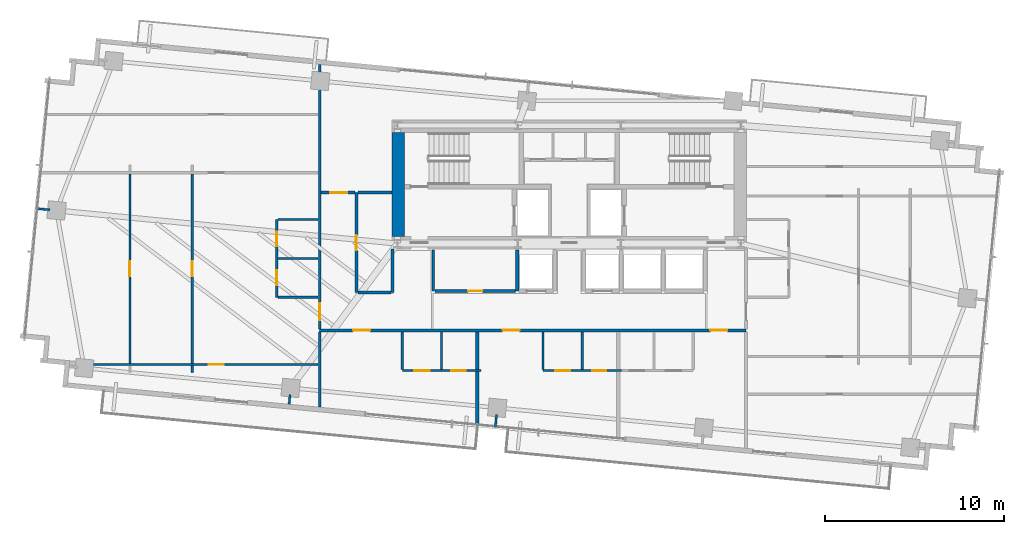
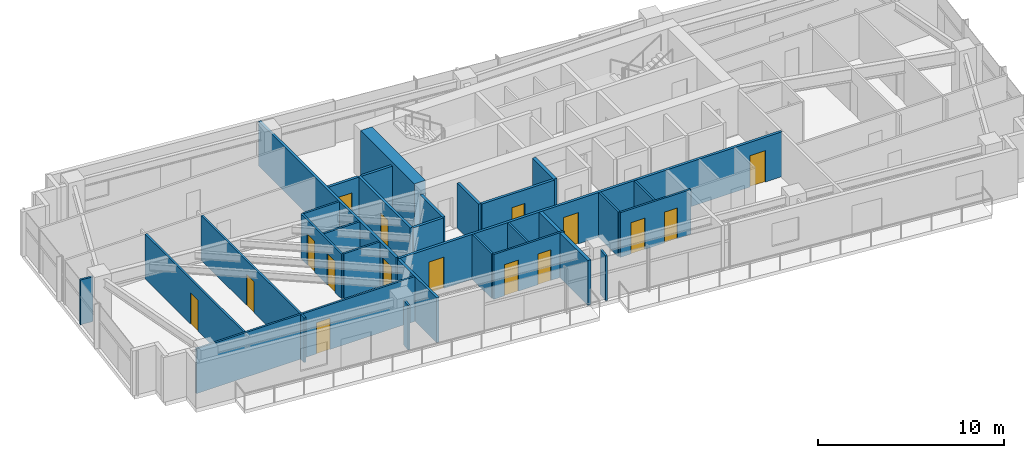
# One storey, part 14 of 19: 31 walls, 16 doors, 16 openings.
"""IFC4 building model written with IfcOpenShell, lengths in metres."""

from ifc_helpers import new_model, si_unit, direction, frame, frame_2d, origin, place, context, subcontext, project, spatial, rectangle, extrude, source, transform, mapped, material, layer, layer_set, type_object, type_shapes, element, fill, save


model = new_model("IFC4")

# Units and contexts
model_context = context("Model", 3, precision=1e-05, world=origin(), true_north=direction((0.0, 1.0)))
body_context = subcontext(model_context, "Body", "Model", "MODEL_VIEW")
ifc_project = project(units=[si_unit("LENGTHUNIT", "METRE"), si_unit("AREAUNIT", "SQUARE_METRE"), si_unit("VOLUMEUNIT", "CUBIC_METRE"), si_unit("PLANEANGLEUNIT", "RADIAN"), si_unit("MASSUNIT", "GRAM", prefix="KILO")], contexts=[model_context])

# Site, building, storey
site_placement = place(None, origin())
site = spatial("IfcSite", under=ifc_project, at=site_placement, CompositionType="ELEMENT")
building_placement = place(site_placement, origin())
building = spatial("IfcBuilding", under=site, at=building_placement, Name="Astriad Promenade Condominiums", CompositionType="ELEMENT")
storey_placement = place(building_placement, frame((0.0, 0.0, 150.199951171875)))
storey = spatial("IfcBuildingStorey", under=building, at=storey_placement, Name="L43", CompositionType="ELEMENT", Elevation=150.199951171875)

# Walls
ifc_material_1 = material(Name="Concrete C60/75", Category="concrete")
ifc_layer_1 = layer(ifc_material_1, 0.699951171875)
ifc_layer_set_1 = layer_set([ifc_layer_1], Name="Concrete C60/75")
wall_type_1 = type_object("IfcWallType", Name="CW-SHEAR-700", PredefinedType="SHEAR", material=ifc_layer_set_1)
wall_1_placement = place(storey_placement, frame((26.449951171875, 17.802001953125, 0.0), z_axis=(0.0, 0.0, 1.0), x_axis=(0.0, 1.0, 0.0)))
element("IfcWall", 1, at=wall_1_placement, inside=storey, type_object=wall_type_1, Name="CW-CORE-W-L43", PredefinedType="SHEAR", context=body_context, shape_type="SweptSolid", body=[
    extrude(rectangle(XDim=5.7958984375, YDim=0.699951171875, at=frame_2d((2.89794921875, 0.0))), origin(), (0.0, 0.0, 1.0), 3.199951171875),
])
ifc_material_2 = material(Name="Fire-Rated Gypsum Partition")
ifc_layer_2 = layer(ifc_material_2, 0.159912109375)
ifc_layer_set_2 = layer_set([ifc_layer_2], Name="Fire-Rated Gypsum Partition")
wall_type_2 = type_object("IfcWallType", Name="WALL-CORR-160", PredefinedType="PARTITIONING", material=ifc_layer_set_2)
wall_2_placement = place(storey_placement, frame((28.39990234375, 14.75, 0.0), z_axis=(0.0, 0.0, 1.0), x_axis=(0.0, 1.0, 0.0)))
element("IfcWall", 2, at=wall_2_placement, inside=storey, type_object=wall_type_2, Name="REC-L-W-L43", PredefinedType="PARTITIONING", context=body_context, shape_type="SweptSolid", body=[
    extrude(rectangle(XDim=2.300048828125, YDim=0.159912109375, at=frame_2d((1.14990234375, 0.0))), origin(), (0.0, 0.0, 1.0), 2.93994140625),
])

# Wall, opening, door
wall_3_placement = place(storey_placement, frame((28.48193359375, 14.75, 0.0), z_axis=(0.0, 0.0, 1.0), x_axis=(1.0, 0.0, 0.0)))
wall_3 = element("IfcWall", 3, at=wall_3_placement, inside=storey, type_object=wall_type_2, Name="REC-L-S-L43", PredefinedType="PARTITIONING", context=body_context, shape_type="SweptSolid", body=[
    extrude(rectangle(XDim=4.51611328125, YDim=0.159912109375, at=frame_2d((2.258056640625, 0.0))), origin(), (0.0, 0.0, 1.0), 2.93994140625),
])
opening_1_placement = place(wall_3_placement, frame((1.867919921875, 0.0, 0.0)))
opening_1 = element("IfcOpeningElement", 4, at=opening_1_placement, cuts=wall_3, Name="Opening FD60-SV-080", PredefinedType="OPENING", context=body_context, shape_type="SweptSolid", body=[
    extrude(rectangle(XDim=0.800048828125, YDim=2.050048828125, at=frame_2d((0.39990234375, 1.02490234375))), frame((0.0, 0.08984375, 0.0), z_axis=(0.0, -1.0, 0.0), x_axis=(1.0, 0.0, 0.0)), (0.0, 0.0, 1.0), 0.179931640625),
])
ifc_material_3 = material(Name="Fire-Rated Riser Closet Door")
door_type_1 = type_object("IfcDoorType", Name="FD60-SV-080", OperationType="NOTDEFINED", PredefinedType="DOOR", material=ifc_material_3)
shared_shape_1 = source(origin(), body_context, "Body", "SweptSolid", [
    extrude(rectangle(XDim=0.800048828125, YDim=2.050048828125, at=frame_2d((0.39990234375, 1.02490234375))), frame((0.0, 0.02490234375, 0.0), z_axis=(0.0, -1.0, 0.0), x_axis=(1.0, 0.0, 0.0)), (0.0, 0.0, 1.0), 0.050048828125),
])
type_shapes(door_type_1, [shared_shape_1])
door_1_placement = place(opening_1_placement, origin())
door_1 = element("IfcDoor", 5, at=door_1_placement, inside=storey, type_object=door_type_1, Name="D-RECL-L43", OperationType="SINGLE_SWING_RIGHT", OverallHeight=2.050048828125, OverallWidth=0.800048828125, PredefinedType="DOOR", context=body_context, shape_type="MappedRepresentation", body=[
    mapped(shared_shape_1, transform((0.0, 0.0, 0.0), scale=1.0)),
])
fill(opening_1, door_1)

# Wall, openings, doors
wall_4_placement = place(storey_placement, frame((22.050048828125, 12.550048828125, 0.0), z_axis=(0.0, 0.0, 1.0), x_axis=(1.0, 0.0, 0.0)))
wall_4 = element("IfcWall", 6, at=wall_4_placement, inside=storey, type_object=wall_type_2, Name="PT-COR-S-L43", PredefinedType="PARTITIONING", context=body_context, shape_type="SweptSolid", body=[
    extrude(rectangle(XDim=23.829833984375, YDim=0.159912109375, at=frame_2d((11.9150390625, 0.0))), origin(), (0.0, 0.0, 1.0), 2.93994140625),
])
opening_2_placement = place(wall_4_placement, frame((1.873046875, 0.0, 0.0)))
opening_2 = element("IfcOpeningElement", 7, at=opening_2_placement, cuts=wall_4, Name="Opening FD60-APT-095", PredefinedType="OPENING", context=body_context, shape_type="SweptSolid", body=[
    extrude(rectangle(XDim=0.949951171875, YDim=2.06005859375, at=frame_2d((0.47509765625, 1.030029296875))), frame((0.0, 0.08984375, 0.0), z_axis=(0.0, -1.0, 0.0), x_axis=(1.0, 0.0, 0.0)), (0.0, 0.0, 1.0), 0.179931640625),
])
opening_3_placement = place(wall_4_placement, frame((10.22412109375, 0.0, 0.0)))
opening_3 = element("IfcOpeningElement", 8, at=opening_3_placement, cuts=wall_4, Name="Opening FD60-APT-095", PredefinedType="OPENING", context=body_context, shape_type="SweptSolid", body=[
    extrude(rectangle(XDim=0.949951171875, YDim=2.06005859375, at=frame_2d((0.47509765625, 1.030029296875))), frame((0.0, 0.08984375, 0.0), z_axis=(0.0, -1.0, 0.0), x_axis=(1.0, 0.0, 0.0)), (0.0, 0.0, 1.0), 0.179931640625),
])
opening_4_placement = place(wall_4_placement, frame((21.840087890625, 0.0, 0.0)))
opening_4 = element("IfcOpeningElement", 9, at=opening_4_placement, cuts=wall_4, Name="Opening FD60-APT-095", PredefinedType="OPENING", context=body_context, shape_type="SweptSolid", body=[
    extrude(rectangle(XDim=0.949951171875, YDim=2.06005859375, at=frame_2d((0.47509765625, 1.030029296875))), frame((0.0, 0.08984375, 0.0), z_axis=(0.0, -1.0, 0.0), x_axis=(1.0, 0.0, 0.0)), (0.0, 0.0, 1.0), 0.179931640625),
])
ifc_material_4 = material(Name="Solid-Core Acoustic Timber Residence Entry Door", Category="wood")
door_type_2 = type_object("IfcDoorType", Name="FD60-APT-095", OperationType="NOTDEFINED", PredefinedType="DOOR", material=ifc_material_4)
shared_shape_2 = source(origin(), body_context, "Body", "SweptSolid", [
    extrude(rectangle(XDim=0.949951171875, YDim=2.06005859375, at=frame_2d((0.47509765625, 1.030029296875))), frame((0.0, 0.02490234375, 0.0), z_axis=(0.0, -1.0, 0.0), x_axis=(1.0, 0.0, 0.0)), (0.0, 0.0, 1.0), 0.050048828125),
])
type_shapes(door_type_2, [shared_shape_2])
door_2_placement = place(opening_2_placement, origin())
door_2 = element("IfcDoor", 10, at=door_2_placement, inside=storey, type_object=door_type_2, Name="D-ENT-L43-S1", OperationType="SINGLE_SWING_LEFT", OverallHeight=2.06005859375, OverallWidth=0.949951171875, PredefinedType="DOOR", context=body_context, shape_type="MappedRepresentation", body=[
    mapped(shared_shape_2, transform((0.0, 0.0, 0.0), scale=1.0)),
])
fill(opening_2, door_2)
door_3_placement = place(opening_3_placement, origin())
door_3 = element("IfcDoor", 11, at=door_3_placement, inside=storey, type_object=door_type_2, Name="D-ENT-L43-S2", OperationType="SINGLE_SWING_RIGHT", OverallHeight=2.06005859375, OverallWidth=0.949951171875, PredefinedType="DOOR", context=body_context, shape_type="MappedRepresentation", body=[
    mapped(shared_shape_2, transform((0.0, 0.0, 0.0), scale=1.0)),
])
fill(opening_3, door_3)
door_4_placement = place(opening_4_placement, origin())
door_4 = element("IfcDoor", 12, at=door_4_placement, inside=storey, type_object=door_type_2, Name="D-ENT-L43-S3", OperationType="SINGLE_SWING_LEFT", OverallHeight=2.06005859375, OverallWidth=0.949951171875, PredefinedType="DOOR", context=body_context, shape_type="MappedRepresentation", body=[
    mapped(shared_shape_2, transform((0.0, 0.0, 0.0), scale=1.0)),
])
fill(opening_4, door_4)

# Wall
wall_5_placement = place(storey_placement, frame((22.050048828125, 8.253173828125, 0.0), z_axis=(0.0, 0.0, 1.0), x_axis=(0.0, 1.0, 0.0)))
element("IfcWall", 13, at=wall_5_placement, inside=storey, type_object=wall_type_2, Name="PT-COR-W-L43", PredefinedType="PARTITIONING", context=body_context, shape_type="SweptSolid", body=[
    extrude(rectangle(XDim=4.21484375, YDim=0.159912109375, at=frame_2d((2.107421875, 0.0))), origin(), (0.0, 0.0, 1.0), 2.93994140625),
])

# Wall, opening, door
wall_6_placement = place(storey_placement, frame((22.050048828125, 12.632080078125, 0.0), z_axis=(0.0, 0.0, 1.0), x_axis=(0.0, 1.0, 0.0)))
wall_6 = element("IfcWall", 14, at=wall_6_placement, inside=storey, type_object=wall_type_2, Name="PT-COR-W-L43-S2", PredefinedType="PARTITIONING", context=body_context, shape_type="SweptSolid", body=[
    extrude(rectangle(XDim=14.78515625, YDim=0.159912109375, at=frame_2d((7.392578125, 0.0))), origin(), (0.0, 0.0, 1.0), 2.93994140625),
])
opening_5_placement = place(wall_6_placement, frame((0.492919921875, 0.0, 0.0)))
opening_5 = element("IfcOpeningElement", 15, at=opening_5_placement, cuts=wall_6, Name="Opening FD60-APT-095", PredefinedType="OPENING", context=body_context, shape_type="SweptSolid", body=[
    extrude(rectangle(XDim=0.949951171875, YDim=2.06005859375, at=frame_2d((0.47509765625, 1.030029296875))), frame((0.0, 0.08984375, 0.0), z_axis=(0.0, -1.0, 0.0), x_axis=(1.0, 0.0, 0.0)), (0.0, 0.0, 1.0), 0.179931640625),
])
door_5_placement = place(opening_5_placement, origin())
door_5 = element("IfcDoor", 16, at=door_5_placement, inside=storey, type_object=door_type_2, Name="D-ENT-L43-W1", OperationType="SINGLE_SWING_RIGHT", OverallHeight=2.06005859375, OverallWidth=0.949951171875, PredefinedType="DOOR", context=body_context, shape_type="MappedRepresentation", body=[
    mapped(shared_shape_2, transform((0.0, 0.0, 0.0), scale=1.0)),
])
fill(opening_5, door_5)

wall_7_placement = place(storey_placement, frame((24.10009765625, 14.659912109375, 0.0), z_axis=(0.0, 0.0, 1.0), x_axis=(0.0, 1.0, 0.0)))
wall_7 = element("IfcWall", 17, at=wall_7_placement, inside=storey, type_object=wall_type_2, Name="PT-HK-E-L43", PredefinedType="PARTITIONING", context=body_context, shape_type="SweptSolid", body=[
    extrude(rectangle(XDim=5.590087890625, YDim=0.159912109375, at=frame_2d((2.794921875, 0.0))), origin(), (0.0, 0.0, 1.0), 2.93994140625),
])
opening_6_placement = place(wall_7_placement, frame((2.360107421875, 0.0, 0.0)))
opening_6 = element("IfcOpeningElement", 18, at=opening_6_placement, cuts=wall_7, Name="Opening FD60-ULOW-085", PredefinedType="OPENING", context=body_context, shape_type="SweptSolid", body=[
    extrude(rectangle(XDim=0.85009765625, YDim=2.0, at=frame_2d((0.425048828125, 1.0))), frame((0.0, 0.08984375, 0.0), z_axis=(0.0, -1.0, 0.0), x_axis=(1.0, 0.0, 0.0)), (0.0, 0.0, 1.0), 0.179931640625),
])
ifc_material_5 = material(Name="Solid-Core Low-Headroom Fire Door")
door_type_3 = type_object("IfcDoorType", Name="FD60-ULOW-085", OperationType="NOTDEFINED", PredefinedType="DOOR", material=ifc_material_5)
shared_shape_3 = source(origin(), body_context, "Body", "SweptSolid", [
    extrude(rectangle(XDim=0.85009765625, YDim=2.0, at=frame_2d((0.425048828125, 1.0))), frame((0.0, 0.02490234375, 0.0), z_axis=(0.0, -1.0, 0.0), x_axis=(1.0, 0.0, 0.0)), (0.0, 0.0, 1.0), 0.050048828125),
])
type_shapes(door_type_3, [shared_shape_3])
door_6_placement = place(opening_6_placement, origin())
door_6 = element("IfcDoor", 19, at=door_6_placement, inside=storey, type_object=door_type_3, Name="D-HKA-L43", OperationType="SINGLE_SWING_LEFT", OverallHeight=2.0, OverallWidth=0.85009765625, PredefinedType="DOOR", context=body_context, shape_type="MappedRepresentation", body=[
    mapped(shared_shape_3, transform((0.0, 0.0, 0.0), scale=1.0)),
])
fill(opening_6, door_6)

wall_8_placement = place(storey_placement, frame((22.132080078125, 20.25, 0.0), z_axis=(0.0, 0.0, 1.0), x_axis=(1.0, 0.0, 0.0)))
wall_8 = element("IfcWall", 20, at=wall_8_placement, inside=storey, type_object=wall_type_2, Name="PT-HK-N-L43", PredefinedType="PARTITIONING", context=body_context, shape_type="SweptSolid", body=[
    extrude(rectangle(XDim=1.885986328125, YDim=0.159912109375, at=frame_2d((0.94287109375, 0.0))), origin(), (0.0, 0.0, 1.0), 2.93994140625),
])
opening_7_placement = place(wall_8_placement, frame((0.508056640625, 0.0, 0.0)))
opening_7 = element("IfcOpeningElement", 21, at=opening_7_placement, cuts=wall_8, Name="Opening FD60-APT-095", PredefinedType="OPENING", context=body_context, shape_type="SweptSolid", body=[
    extrude(rectangle(XDim=0.949951171875, YDim=2.06005859375, at=frame_2d((0.47509765625, 1.030029296875))), frame((0.0, 0.08984375, 0.0), z_axis=(0.0, -1.0, 0.0), x_axis=(1.0, 0.0, 0.0)), (0.0, 0.0, 1.0), 0.179931640625),
])
door_7_placement = place(opening_7_placement, origin())
door_7 = element("IfcDoor", 22, at=door_7_placement, inside=storey, type_object=door_type_2, Name="D-HKB-L43", OperationType="SINGLE_SWING_RIGHT", OverallHeight=2.06005859375, OverallWidth=0.949951171875, PredefinedType="DOOR", context=body_context, shape_type="MappedRepresentation", body=[
    mapped(shared_shape_2, transform((0.0, 0.0, 0.0), scale=1.0)),
])
fill(opening_7, door_7)

# Walls
wall_9_placement = place(storey_placement, frame((24.181884765625, 20.25, 0.0), z_axis=(0.0, 0.0, 1.0), x_axis=(1.0, 0.0, 0.0)))
element("IfcWall", 23, at=wall_9_placement, inside=storey, type_object=wall_type_2, Name="PT-HK-N-L43-S2", PredefinedType="PARTITIONING", context=body_context, shape_type="SweptSolid", body=[
    extrude(rectangle(XDim=1.916015625, YDim=0.159912109375, at=frame_2d((0.9580078125, 0.0))), origin(), (0.0, 0.0, 1.0), 2.93994140625),
])
wall_10_placement = place(storey_placement, frame((26.1201171875, 14.659912109375, 0.0), z_axis=(0.0, 0.0, 1.0), x_axis=(0.0, 1.0, 0.0)))
element("IfcWall", 24, at=wall_10_placement, inside=storey, type_object=wall_type_2, Name="PT-WSPUR-W-L43", PredefinedType="PARTITIONING", context=body_context, shape_type="SweptSolid", body=[
    extrude(rectangle(XDim=2.43798828125, YDim=0.159912109375, at=frame_2d((1.218994140625, 0.0))), origin(), (0.0, 0.0, 1.0), 2.93994140625),
])
wall_11_placement = place(storey_placement, frame((24.181884765625, 14.659912109375, 0.0), z_axis=(0.0, 0.0, 1.0), x_axis=(1.0, 0.0, 0.0)))
element("IfcWall", 25, at=wall_11_placement, inside=storey, type_object=wall_type_2, Name="PT-HK-S-L43", PredefinedType="PARTITIONING", context=body_context, shape_type="SweptSolid", body=[
    extrude(rectangle(XDim=1.856201171875, YDim=0.159912109375, at=frame_2d((0.92822265625, 0.0))), origin(), (0.0, 0.0, 1.0), 2.93994140625),
])
ifc_material_6 = material(Name="Acoustic Double-Stud Gypsum Partition")
ifc_layer_3 = layer(ifc_material_6, 0.199951171875)
ifc_layer_set_3 = layer_set([ifc_layer_3], Name="Acoustic Double-Stud Gypsum Partition")
wall_type_3 = type_object("IfcWallType", Name="WALL-DEMISING-200", PredefinedType="PARTITIONING", material=ifc_layer_set_3)
wall_12_placement = place(storey_placement, frame((30.866943359375, 7.22119140625, 0.0), z_axis=(0.0, 0.0, 1.0), x_axis=(0.0, 1.0, 0.0)))
element("IfcWall", 26, at=wall_12_placement, inside=storey, type_object=wall_type_3, Name="PT-DEM-S1-L43", PredefinedType="PARTITIONING", context=body_context, shape_type="SweptSolid", body=[
    extrude(rectangle(XDim=3.016845703125, YDim=0.199951171875, at=frame_2d((1.50830078125, 0.0))), origin(), (0.0, 0.0, 1.0), 2.93994140625),
])
wall_13_placement = place(storey_placement, frame((30.866943359375, 10.362060546875, 0.0), z_axis=(0.0, 0.0, 1.0), x_axis=(0.0, 1.0, 0.0)))
element("IfcWall", 27, at=wall_13_placement, inside=storey, type_object=wall_type_3, Name="PT-DEM-S1-L43-S2", PredefinedType="PARTITIONING", context=body_context, shape_type="SweptSolid", body=[
    extrude(rectangle(XDim=2.10595703125, YDim=0.199951171875, at=frame_2d((1.052978515625, 0.0))), origin(), (0.0, 0.0, 1.0), 2.93994140625),
])

# Wall, openings, doors
ifc_material_7 = material(Name="Acoustic Metal-Stud Gypsum Partition")
ifc_layer_4 = layer(ifc_material_7, 0.1201171875)
ifc_layer_set_4 = layer_set([ifc_layer_4], Name="Acoustic Metal-Stud Gypsum Partition")
wall_type_4 = type_object("IfcWallType", Name="WALL-PART-120", PredefinedType="PARTITIONING", material=ifc_layer_set_4)
wall_14_placement = place(storey_placement, frame((26.6669921875, 10.300048828125, 0.0), z_axis=(0.0, 0.0, 1.0), x_axis=(1.0, 0.0, 0.0)))
wall_14 = element("IfcWall", 28, at=wall_14_placement, inside=storey, type_object=wall_type_4, Name="PT-L43-S1-PS", PredefinedType="PARTITIONING", context=body_context, shape_type="SweptSolid", body=[
    extrude(rectangle(XDim=4.39990234375, YDim=0.1201171875, at=frame_2d((2.199951171875, 0.0))), origin(), (0.0, 0.0, 1.0), 2.93994140625),
])
opening_8_placement = place(wall_14_placement, frame((0.675048828125, 0.0, 0.0)))
opening_8 = element("IfcOpeningElement", 29, at=opening_8_placement, cuts=wall_14, Name="Opening D-INT-085", PredefinedType="OPENING", context=body_context, shape_type="SweptSolid", body=[
    extrude(rectangle(XDim=0.85009765625, YDim=2.050048828125, at=frame_2d((0.425048828125, 1.02490234375))), frame((0.0, 0.070068359375, 0.0), z_axis=(0.0, -1.0, 0.0), x_axis=(1.0, 0.0, 0.0)), (0.0, 0.0, 1.0), 0.14013671875),
])
opening_9_placement = place(wall_14_placement, frame((2.75, 0.0, 0.0)))
opening_9 = element("IfcOpeningElement", 30, at=opening_9_placement, cuts=wall_14, Name="Opening D-WET-080", PredefinedType="OPENING", context=body_context, shape_type="SweptSolid", body=[
    extrude(rectangle(XDim=0.800048828125, YDim=2.02001953125, at=frame_2d((0.39990234375, 1.010009765625))), frame((0.0, 0.070068359375, 0.0), z_axis=(0.0, -1.0, 0.0), x_axis=(1.0, 0.0, 0.0)), (0.0, 0.0, 1.0), 0.14013671875),
])
ifc_material_8 = material(Name="Moisture-Resistant Timber Bathroom Door", Category="wood")
door_type_4 = type_object("IfcDoorType", Name="D-WET-080", OperationType="NOTDEFINED", PredefinedType="DOOR", material=ifc_material_8)
shared_shape_4 = source(origin(), body_context, "Body", "SweptSolid", [
    extrude(rectangle(XDim=0.800048828125, YDim=2.02001953125, at=frame_2d((0.39990234375, 1.010009765625))), frame((0.0, 0.02490234375, 0.0), z_axis=(0.0, -1.0, 0.0), x_axis=(1.0, 0.0, 0.0)), (0.0, 0.0, 1.0), 0.050048828125),
])
type_shapes(door_type_4, [shared_shape_4])
door_8_placement = place(opening_9_placement, origin())
door_8 = element("IfcDoor", 31, at=door_8_placement, inside=storey, type_object=door_type_4, Name="D-BTH-L43-S1", OperationType="SINGLE_SWING_LEFT", OverallHeight=2.02001953125, OverallWidth=0.800048828125, PredefinedType="DOOR", context=body_context, shape_type="MappedRepresentation", body=[
    mapped(shared_shape_4, transform((0.0, 0.0, 0.0), scale=1.0)),
])
fill(opening_9, door_8)
ifc_material_9 = material(Name="Painted Solid-Core Timber Room Door", Category="wood")
door_type_5 = type_object("IfcDoorType", Name="D-INT-085", OperationType="NOTDEFINED", PredefinedType="DOOR", material=ifc_material_9)
shared_shape_5 = source(origin(), body_context, "Body", "SweptSolid", [
    extrude(rectangle(XDim=0.85009765625, YDim=2.050048828125, at=frame_2d((0.425048828125, 1.02490234375))), frame((0.0, 0.02490234375, 0.0), z_axis=(0.0, -1.0, 0.0), x_axis=(1.0, 0.0, 0.0)), (0.0, 0.0, 1.0), 0.050048828125),
])
type_shapes(door_type_5, [shared_shape_5])
door_9_placement = place(opening_8_placement, origin())
door_9 = element("IfcDoor", 32, at=door_9_placement, inside=storey, type_object=door_type_5, Name="D-KIT-L43-S1", OperationType="SINGLE_SWING_RIGHT", OverallHeight=2.050048828125, OverallWidth=0.85009765625, PredefinedType="DOOR", context=body_context, shape_type="MappedRepresentation", body=[
    mapped(shared_shape_5, transform((0.0, 0.0, 0.0), scale=1.0)),
])
fill(opening_8, door_9)

# Walls
for number, where, z_axis, x_axis, name in (
    (33, (26.6669921875, 10.362060546875, 0.0), (0.0, 0.0, 1.0), (0.0, 1.0, 0.0), "PT-L43-S1-PK"),
    (34, (28.866943359375, 10.362060546875, 0.0), (0.0, 0.0, 1.0), (0.0, 1.0, 0.0), "PT-L43-S1-PB"),
):
    element("IfcWall", number, at=place(storey_placement, frame(where, z_axis=z_axis, x_axis=x_axis)), inside=storey, type_object=wall_type_4, Name=name, PredefinedType="PARTITIONING", context=body_context, shape_type="SweptSolid", body=[
        extrude(rectangle(XDim=2.10595703125, YDim=0.1201171875, at=frame_2d((1.052978515625, 0.0))), origin(), (0.0, 0.0, 1.0), 2.93994140625),
    ])

# Wall, openings, doors
wall_15_placement = place(storey_placement, frame((34.531005859375, 10.300048828125, 0.0), z_axis=(0.0, 0.0, 1.0), x_axis=(1.0, 0.0, 0.0)))
wall_15 = element("IfcWall", 35, at=wall_15_placement, inside=storey, type_object=wall_type_4, Name="PT-L43-S2-PS", PredefinedType="PARTITIONING", context=body_context, shape_type="SweptSolid", body=[
    extrude(rectangle(XDim=4.39990234375, YDim=0.1201171875, at=frame_2d((2.199951171875, 0.0))), origin(), (0.0, 0.0, 1.0), 2.93994140625),
])
opening_10_placement = place(wall_15_placement, frame((0.675048828125, 0.0, 0.0)))
opening_10 = element("IfcOpeningElement", 36, at=opening_10_placement, cuts=wall_15, Name="Opening D-INT-085", PredefinedType="OPENING", context=body_context, shape_type="SweptSolid", body=[
    extrude(rectangle(XDim=0.85009765625, YDim=2.050048828125, at=frame_2d((0.425048828125, 1.02490234375))), frame((0.0, 0.070068359375, 0.0), z_axis=(0.0, -1.0, 0.0), x_axis=(1.0, 0.0, 0.0)), (0.0, 0.0, 1.0), 0.14013671875),
])
opening_11_placement = place(wall_15_placement, frame((2.75, 0.0, 0.0)))
opening_11 = element("IfcOpeningElement", 37, at=opening_11_placement, cuts=wall_15, Name="Opening D-WET-080", PredefinedType="OPENING", context=body_context, shape_type="SweptSolid", body=[
    extrude(rectangle(XDim=0.800048828125, YDim=2.02001953125, at=frame_2d((0.39990234375, 1.010009765625))), frame((0.0, 0.070068359375, 0.0), z_axis=(0.0, -1.0, 0.0), x_axis=(1.0, 0.0, 0.0)), (0.0, 0.0, 1.0), 0.14013671875),
])
door_10_placement = place(opening_11_placement, origin())
door_10 = element("IfcDoor", 38, at=door_10_placement, inside=storey, type_object=door_type_4, Name="D-BTH-L43-S2", OperationType="SINGLE_SWING_RIGHT", OverallHeight=2.02001953125, OverallWidth=0.800048828125, PredefinedType="DOOR", context=body_context, shape_type="MappedRepresentation", body=[
    mapped(shared_shape_4, transform((0.0, 0.0, 0.0), scale=1.0)),
])
fill(opening_11, door_10)
door_11_placement = place(opening_10_placement, origin())
door_11 = element("IfcDoor", 39, at=door_11_placement, inside=storey, type_object=door_type_5, Name="D-KIT-L43-S2", OperationType="SINGLE_SWING_LEFT", OverallHeight=2.050048828125, OverallWidth=0.85009765625, PredefinedType="DOOR", context=body_context, shape_type="MappedRepresentation", body=[
    mapped(shared_shape_5, transform((0.0, 0.0, 0.0), scale=1.0)),
])
fill(opening_10, door_11)

# Walls
for number, where, z_axis, x_axis, name in (
    (40, (34.531005859375, 10.362060546875, 0.0), (0.0, 0.0, 1.0), (0.0, 1.0, 0.0), "PT-L43-S2-PK"),
    (41, (36.73095703125, 10.362060546875, 0.0), (0.0, 0.0, 1.0), (0.0, 1.0, 0.0), "PT-L43-S2-PB"),
):
    element("IfcWall", number, at=place(storey_placement, frame(where, z_axis=z_axis, x_axis=x_axis)), inside=storey, type_object=wall_type_4, Name=name, PredefinedType="PARTITIONING", context=body_context, shape_type="SweptSolid", body=[
        extrude(rectangle(XDim=2.10595703125, YDim=0.1201171875, at=frame_2d((1.052978515625, 0.0))), origin(), (0.0, 0.0, 1.0), 2.93994140625),
    ])

# Wall, openings, doors
wall_16_placement = place(storey_placement, frame((19.64990234375, 14.39990234375, 0.0), z_axis=(0.0, 0.0, 1.0), x_axis=(0.0, 1.0, 0.0)))
wall_16 = element("IfcWall", 42, at=wall_16_placement, inside=storey, type_object=wall_type_4, Name="PT-L43-W1-PV", PredefinedType="PARTITIONING", context=body_context, shape_type="SweptSolid", body=[
    extrude(rectangle(XDim=4.35009765625, YDim=0.1201171875, at=frame_2d((2.175048828125, 0.0))), origin(), (0.0, 0.0, 1.0), 2.93994140625),
])
opening_12_placement = place(wall_16_placement, frame((0.6630859375, 0.0, 0.0)))
opening_12 = element("IfcOpeningElement", 43, at=opening_12_placement, cuts=wall_16, Name="Opening D-INT-085", PredefinedType="OPENING", context=body_context, shape_type="SweptSolid", body=[
    extrude(rectangle(XDim=0.85009765625, YDim=2.050048828125, at=frame_2d((0.425048828125, 1.02490234375))), frame((0.0, 0.070068359375, 0.0), z_axis=(0.0, -1.0, 0.0), x_axis=(1.0, 0.0, 0.0)), (0.0, 0.0, 1.0), 0.14013671875),
])
opening_13_placement = place(wall_16_placement, frame((2.863037109375, 0.0, 0.0)))
opening_13 = element("IfcOpeningElement", 44, at=opening_13_placement, cuts=wall_16, Name="Opening D-WET-080", PredefinedType="OPENING", context=body_context, shape_type="SweptSolid", body=[
    extrude(rectangle(XDim=0.800048828125, YDim=2.02001953125, at=frame_2d((0.39990234375, 1.010009765625))), frame((0.0, 0.070068359375, 0.0), z_axis=(0.0, -1.0, 0.0), x_axis=(1.0, 0.0, 0.0)), (0.0, 0.0, 1.0), 0.14013671875),
])
door_12_placement = place(opening_13_placement, origin())
door_12 = element("IfcDoor", 45, at=door_12_placement, inside=storey, type_object=door_type_4, Name="D-BTH-L43-W1", OperationType="SINGLE_SWING_RIGHT", OverallHeight=2.02001953125, OverallWidth=0.800048828125, PredefinedType="DOOR", context=body_context, shape_type="MappedRepresentation", body=[
    mapped(shared_shape_4, transform((0.0, 0.0, 0.0), scale=1.0)),
])
fill(opening_13, door_12)
door_13_placement = place(opening_12_placement, origin())
door_13 = element("IfcDoor", 46, at=door_13_placement, inside=storey, type_object=door_type_5, Name="D-KIT-L43-W1", OperationType="SINGLE_SWING_LEFT", OverallHeight=2.050048828125, OverallWidth=0.85009765625, PredefinedType="DOOR", context=body_context, shape_type="MappedRepresentation", body=[
    mapped(shared_shape_5, transform((0.0, 0.0, 0.0), scale=1.0)),
])
fill(opening_12, door_13)

# Walls
for number, where, z_axis, x_axis, name in (
    (47, (19.7119140625, 16.574951171875, 0.0), (0.0, 0.0, 1.0), (1.0, 0.0, 0.0), "PT-L43-W1-PM"),
    (48, (19.7119140625, 14.39990234375, 0.0), (0.0, 0.0, 1.0), (1.0, 0.0, 0.0), "PT-L43-W1-PS"),
    (49, (19.7119140625, 18.75, 0.0), (0.0, 0.0, 1.0), (1.0, 0.0, 0.0), "PT-L43-W1-PN"),
):
    element("IfcWall", number, at=place(storey_placement, frame(where, z_axis=z_axis, x_axis=x_axis)), inside=storey, type_object=wall_type_4, Name=name, PredefinedType="PARTITIONING", context=body_context, shape_type="SweptSolid", body=[
        extrude(rectangle(XDim=2.256103515625, YDim=0.1201171875, at=frame_2d((1.1279296875, 0.0))), origin(), (0.0, 0.0, 1.0), 2.93994140625),
    ])

# Wall, opening, door
wall_17_placement = place(storey_placement, frame((8.39501953125, 10.638916015625, 0.0), z_axis=(0.0, 0.0, 1.0), x_axis=(1.0, 0.0, 0.0)))
wall_17 = element("IfcWall", 50, at=wall_17_placement, inside=storey, type_object=wall_type_4, Name="PT-L43-W1-WDS3", PredefinedType="PARTITIONING", context=body_context, shape_type="SweptSolid", body=[
    extrude(rectangle(XDim=13.572998046875, YDim=0.1201171875, at=frame_2d((6.78662109375, 0.0))), origin(), (0.0, 0.0, 1.0), 2.93994140625),
])
opening_14_placement = place(wall_17_placement, frame((7.450927734375, 0.0, 0.0)))
opening_14 = element("IfcOpeningElement", 51, at=opening_14_placement, cuts=wall_17, Name="Opening D-INT-085", PredefinedType="OPENING", context=body_context, shape_type="SweptSolid", body=[
    extrude(rectangle(XDim=0.85009765625, YDim=2.050048828125, at=frame_2d((0.425048828125, 1.02490234375))), frame((0.0, 0.070068359375, 0.0), z_axis=(0.0, -1.0, 0.0), x_axis=(1.0, 0.0, 0.0)), (0.0, 0.0, 1.0), 0.14013671875),
])
door_14_placement = place(opening_14_placement, origin())
door_14 = element("IfcDoor", 52, at=door_14_placement, inside=storey, type_object=door_type_5, Name="D-WDS3-L43-W1", OperationType="SINGLE_SWING_LEFT", OverallHeight=2.050048828125, OverallWidth=0.85009765625, PredefinedType="DOOR", context=body_context, shape_type="MappedRepresentation", body=[
    mapped(shared_shape_5, transform((0.0, 0.0, 0.0), scale=1.0)),
])
fill(opening_14, door_14)

wall_18_placement = place(storey_placement, frame((11.43701171875, 10.700927734375, 0.0), z_axis=(0.0, 0.0, 1.0), x_axis=(0.0, 1.0, 0.0)))
wall_18 = element("IfcWall", 53, at=wall_18_placement, inside=storey, type_object=wall_type_4, Name="PT-L43-W1-WDV4-S2", PredefinedType="PARTITIONING", context=body_context, shape_type="SweptSolid", body=[
    extrude(rectangle(XDim=10.60107421875, YDim=0.1201171875, at=frame_2d((5.300537109375, 0.0))), origin(), (0.0, 0.0, 1.0), 2.93994140625),
])
opening_15_placement = place(wall_18_placement, frame((4.8759765625, 0.0, 0.0)))
opening_15 = element("IfcOpeningElement", 54, at=opening_15_placement, cuts=wall_18, Name="Opening D-INT-085", PredefinedType="OPENING", context=body_context, shape_type="SweptSolid", body=[
    extrude(rectangle(XDim=0.85009765625, YDim=2.050048828125, at=frame_2d((0.425048828125, 1.02490234375))), frame((0.0, 0.070068359375, 0.0), z_axis=(0.0, -1.0, 0.0), x_axis=(1.0, 0.0, 0.0)), (0.0, 0.0, 1.0), 0.14013671875),
])
door_15_placement = place(opening_15_placement, origin())
door_15 = element("IfcDoor", 55, at=door_15_placement, inside=storey, type_object=door_type_5, Name="D-WDV4-L43-W1", OperationType="SINGLE_SWING_RIGHT", OverallHeight=2.050048828125, OverallWidth=0.85009765625, PredefinedType="DOOR", context=body_context, shape_type="MappedRepresentation", body=[
    mapped(shared_shape_5, transform((0.0, 0.0, 0.0), scale=1.0)),
])
fill(opening_15, door_15)

# Wall
wall_19_placement = place(storey_placement, frame((14.9208984375, 10.198974609375, 0.0), z_axis=(0.0, 0.0, 1.0), x_axis=(0.0, 1.0, 0.0)))
element("IfcWall", 56, at=wall_19_placement, inside=storey, type_object=wall_type_4, Name="PT-L43-W1-WDV5", PredefinedType="PARTITIONING", context=body_context, shape_type="SweptSolid", body=[
    extrude(rectangle(XDim=0.3779296875, YDim=0.1201171875, at=frame_2d((0.18896484375, 0.0))), origin(), (0.0, 0.0, 1.0), 2.93994140625),
])

# Wall, opening, door
wall_20_placement = place(storey_placement, frame((14.9208984375, 10.700927734375, 0.0), z_axis=(0.0, 0.0, 1.0), x_axis=(0.0, 1.0, 0.0)))
wall_20 = element("IfcWall", 57, at=wall_20_placement, inside=storey, type_object=wall_type_4, Name="PT-L43-W1-WDV5-S2", PredefinedType="PARTITIONING", context=body_context, shape_type="SweptSolid", body=[
    extrude(rectangle(XDim=10.60107421875, YDim=0.1201171875, at=frame_2d((5.300537109375, 0.0))), origin(), (0.0, 0.0, 1.0), 2.93994140625),
])
opening_16_placement = place(wall_20_placement, frame((4.8759765625, 0.0, 0.0)))
opening_16 = element("IfcOpeningElement", 58, at=opening_16_placement, cuts=wall_20, Name="Opening D-INT-085", PredefinedType="OPENING", context=body_context, shape_type="SweptSolid", body=[
    extrude(rectangle(XDim=0.85009765625, YDim=2.050048828125, at=frame_2d((0.425048828125, 1.02490234375))), frame((0.0, 0.070068359375, 0.0), z_axis=(0.0, -1.0, 0.0), x_axis=(1.0, 0.0, 0.0)), (0.0, 0.0, 1.0), 0.14013671875),
])
door_16_placement = place(opening_16_placement, origin())
door_16 = element("IfcDoor", 59, at=door_16_placement, inside=storey, type_object=door_type_5, Name="D-WDV5-L43-W1", OperationType="SINGLE_SWING_LEFT", OverallHeight=2.050048828125, OverallWidth=0.85009765625, PredefinedType="DOOR", context=body_context, shape_type="MappedRepresentation", body=[
    mapped(shared_shape_5, transform((0.0, 0.0, 0.0), scale=1.0)),
])
fill(opening_16, door_16)

# Walls
wall_21_placement = place(storey_placement, frame((20.390869140625, 8.953125, 0.0), z_axis=(0.0, 0.0, 1.0), x_axis=(-0.096222656154, -0.995359834654, 0.0)))
element("IfcWall", 60, at=wall_21_placement, inside=storey, type_object=wall_type_4, Name="PT-PIL-L43-PC02-9", PredefinedType="PARTITIONING", context=body_context, shape_type="SweptSolid", body=[
    extrude(rectangle(XDim=0.537841796875, YDim=0.1201171875, at=frame_2d((0.26904296875, 0.0))), origin(), (0.0, 0.0, 1.0), 2.93994140625),
])
wall_22_placement = place(storey_placement, frame((31.9375, 7.84130859375, 0.0), z_axis=(0.0, 0.0, 1.0), x_axis=(-0.095977354523, -0.995383517755, 0.0)))
element("IfcWall", 61, at=wall_22_placement, inside=storey, type_object=wall_type_4, Name="PT-PIL-L43-PC03-10", PredefinedType="PARTITIONING", context=body_context, shape_type="SweptSolid", body=[
    extrude(rectangle(XDim=0.719970703125, YDim=0.1201171875, at=frame_2d((0.35986328125, 0.0))), origin(), (0.0, 0.0, 1.0), 2.93994140625),
])
wall_23_placement = place(storey_placement, frame((6.95947265625, 19.2880859375, 0.0), z_axis=(0.0, 0.0, 1.0), x_axis=(-0.995377786728, 0.096036772582, 0.0)))
element("IfcWall", 62, at=wall_23_placement, inside=storey, type_object=wall_type_4, Name="PT-PIL-L43-PC11-18", PredefinedType="PARTITIONING", context=body_context, shape_type="SweptSolid", body=[
    extrude(rectangle(XDim=0.760009765625, YDim=0.1201171875, at=frame_2d((0.3798828125, 0.0))), origin(), (0.0, 0.0, 1.0), 2.93994140625),
])
ifc_material_10 = material(Name="Gypsum Shaftliner Assembly")
ifc_layer_5 = layer(ifc_material_10, 0.199951171875)
ifc_layer_set_5 = layer_set([ifc_layer_5], Name="Gypsum Shaftliner Assembly")
wall_type_5 = type_object("IfcWallType", Name="WALL-SHAFT-200", PredefinedType="PARTITIONING", material=ifc_layer_set_5)
wall_24_placement = place(storey_placement, frame((33.10009765625, 14.75, 0.0), z_axis=(0.0, 0.0, 1.0), x_axis=(0.0, 1.0, 0.0)))
element("IfcWall", 63, at=wall_24_placement, inside=storey, type_object=wall_type_5, Name="REC-L-E-L43", PredefinedType="PARTITIONING", context=body_context, shape_type="SweptSolid", body=[
    extrude(rectangle(XDim=2.300048828125, YDim=0.199951171875, at=frame_2d((1.14990234375, 0.0))), origin(), (0.0, 0.0, 1.0), 2.93994140625),
])

save(model, "model.ifc")
